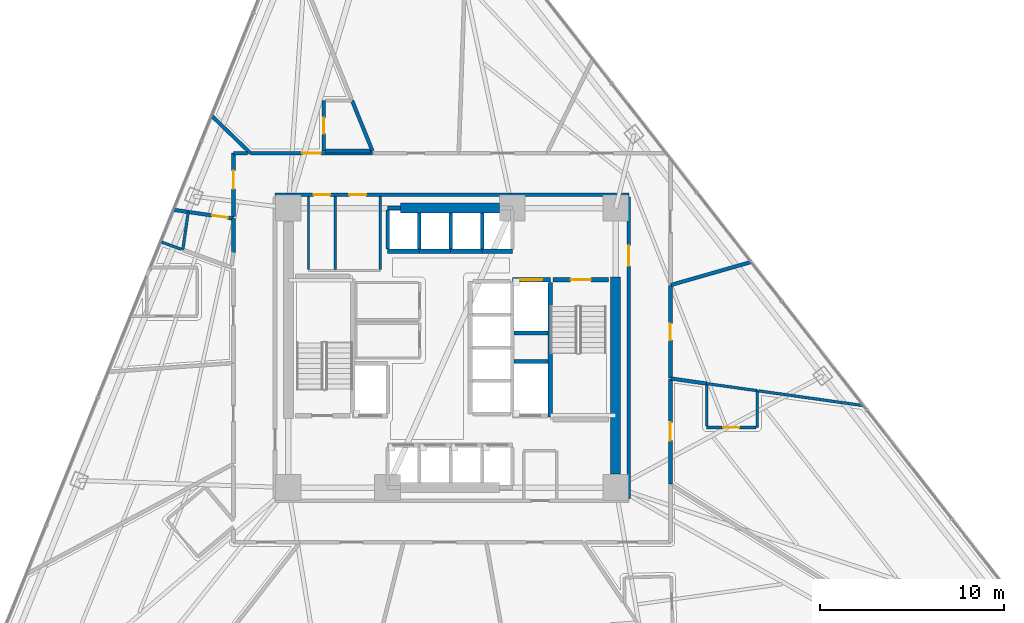
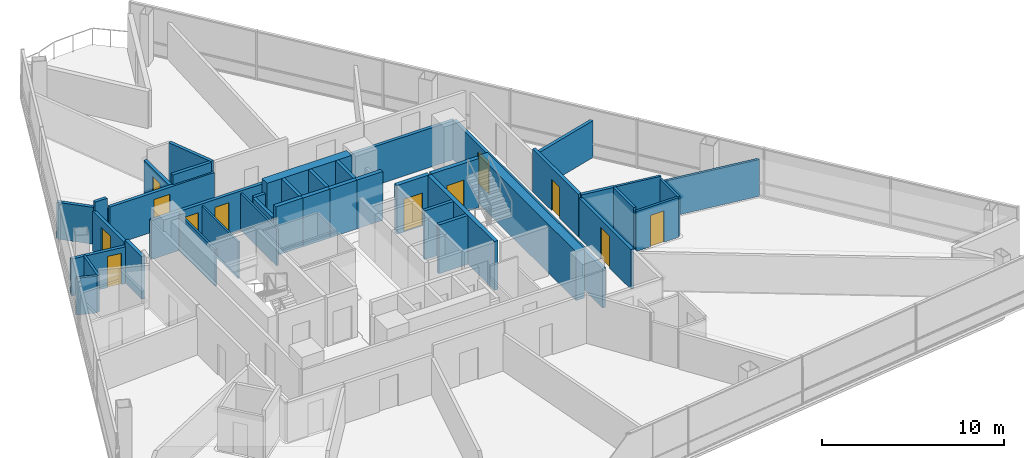
# One storey, part 9 of 15: 41 walls, 12 doors, 12 openings.
"""IFC4 building model written with IfcOpenShell, lengths in metres."""

from ifc_helpers import new_model, si_unit, direction, frame, frame_2d, origin, place, context, subcontext, project, spatial, rectangle, extrude, material, layer, layer_set, type_object, element, fill, save


model = new_model("IFC4")

# Units and contexts
model_context = context("Model", 3, precision=1e-05, world=origin(), true_north=direction((0.0, 1.0)))
body_context = subcontext(model_context, "Body", "Model", "MODEL_VIEW")
ifc_project = project(units=[si_unit("LENGTHUNIT", "METRE"), si_unit("AREAUNIT", "SQUARE_METRE"), si_unit("VOLUMEUNIT", "CUBIC_METRE"), si_unit("PLANEANGLEUNIT", "RADIAN"), si_unit("MASSUNIT", "GRAM", prefix="KILO")], contexts=[model_context])

# Site, building, storey
site_placement = place(None, origin())
site = spatial("IfcSite", under=ifc_project, at=site_placement, CompositionType="ELEMENT")
building_placement = place(site_placement, origin())
building = spatial("IfcBuilding", under=site, at=building_placement, Name="Tharavind Bronze Gate", CompositionType="ELEMENT")
storey_placement = place(building_placement, frame((0.0, 0.0, 67.300048828125)))
storey = spatial("IfcBuildingStorey", under=building, at=storey_placement, Name="L16", CompositionType="ELEMENT", Elevation=67.300048828125)

# Wall, openings, doors
ifc_material_1 = material(Name="Aerated Concrete Block", Category="concrete")
ifc_layer_1 = layer(ifc_material_1, 0.199951171875)
ifc_layer_set_1 = layer_set([ifc_layer_1], Name="Aerated Concrete Block")
wall_type_1 = type_object("IfcWallType", Name="FIRE RATED PARTITION 200", PredefinedType="PARTITIONING", material=ifc_layer_set_1)
wall_1_placement = place(storey_placement, frame((9.6201171875, 8.320068359375, 0.0), z_axis=(0.0, 0.0, 1.0), x_axis=(-1.0, 0.0, 0.0)))
wall_1 = element("IfcWall", 1, at=wall_1_placement, inside=storey, type_object=wall_type_1, Name="L16 north core corridor wall", PredefinedType="PARTITIONING", context=body_context, shape_type="SweptSolid", body=[
    extrude(rectangle(XDim=19.240234375, YDim=0.199951171875, at=frame_2d((9.6201171875, 0.0))), origin(), (0.0, 0.0, 1.0), 2.619873046875),
])
opening_1_placement = place(wall_1_placement, frame((16.2451171875, 0.0, 0.0)))
opening_1 = element("IfcOpeningElement", 2, at=opening_1_placement, cuts=wall_1, Name="Opening ID07", PredefinedType="OPENING", context=body_context, shape_type="SweptSolid", body=[
    extrude(rectangle(XDim=0.89990234375, YDim=2.10009765625, at=frame_2d((0.449951171875, 1.050048828125))), frame((0.0, 0.11009765625, 0.0), z_axis=(0.0, -1.0, 0.0), x_axis=(1.0, 0.0, 0.0)), (0.0, 0.0, 1.0), 0.219951171875),
])
opening_2_placement = place(wall_1_placement, frame((14.294921875, 0.0, 0.0)))
opening_2 = element("IfcOpeningElement", 3, at=opening_2_placement, cuts=wall_1, Name="Opening ID07", PredefinedType="OPENING", context=body_context, shape_type="SweptSolid", body=[
    extrude(rectangle(XDim=0.89990234375, YDim=2.10009765625, at=frame_2d((0.449951171875, 1.050048828125))), frame((0.0, 0.11009765625, 0.0), z_axis=(0.0, -1.0, 0.0), x_axis=(1.0, 0.0, 0.0)), (0.0, 0.0, 1.0), 0.219951171875),
])
ifc_material_2 = material(Name="Galvanised Fire Steel", Category="steel")
door_type_1 = type_object("IfcDoorType", Name="PLANT AND RISER FIRE DOOR 900X2100", OperationType="SINGLE_SWING_LEFT", PredefinedType="DOOR", material=ifc_material_2)
door_1_placement = place(opening_1_placement, frame((0.89990234375, 0.0, 0.0), z_axis=(0.0, 0.0, 1.0), x_axis=(-1.0, 0.0, 0.0)))
door_1 = element("IfcDoor", 4, at=door_1_placement, inside=storey, type_object=door_type_1, Name="L16 Battery Backup Cupboard fire door", OperationType="SINGLE_SWING_LEFT", OverallHeight=2.10009765625, OverallWidth=0.89990234375, PredefinedType="DOOR", context=body_context, shape_type="SweptSolid", body=[
    extrude(rectangle(XDim=0.89990234375, YDim=2.10009765625, at=frame_2d((0.449951171875, 1.050048828125))), frame((0.0, 0.02490234375, 0.0), z_axis=(0.0, -1.0, 0.0), x_axis=(1.0, 0.0, 0.0)), (0.0, 0.0, 1.0), 0.050048828125),
])
fill(opening_1, door_1)
door_2_placement = place(opening_2_placement, frame((0.89990234375, 0.0, 0.0), z_axis=(0.0, 0.0, 1.0), x_axis=(-1.0, 0.0, 0.0)))
door_2 = element("IfcDoor", 5, at=door_2_placement, inside=storey, type_object=door_type_1, Name="L16 Cleaner Store Room fire door", OperationType="SINGLE_SWING_LEFT", OverallHeight=2.10009765625, OverallWidth=0.89990234375, PredefinedType="DOOR", context=body_context, shape_type="SweptSolid", body=[
    extrude(rectangle(XDim=0.89990234375, YDim=2.10009765625, at=frame_2d((0.449951171875, 1.050048828125))), frame((0.0, 0.02490234375, 0.0), z_axis=(0.0, -1.0, 0.0), x_axis=(1.0, 0.0, 0.0)), (0.0, 0.0, 1.0), 0.050048828125),
])
fill(opening_2, door_2)

# Wall, opening, door
wall_2_placement = place(storey_placement, frame((9.6201171875, -8.199951171875, 0.0), z_axis=(0.0, 0.0, 1.0), x_axis=(0.0, 1.0, 0.0)))
wall_2 = element("IfcWall", 6, at=wall_2_placement, inside=storey, type_object=wall_type_1, Name="L16 east core corridor wall", PredefinedType="PARTITIONING", context=body_context, shape_type="SweptSolid", body=[
    extrude(rectangle(XDim=16.39990234375, YDim=0.199951171875, at=frame_2d((8.199951171875, 0.0))), origin(), (0.0, 0.0, 1.0), 2.669921875),
])
opening_3_placement = place(wall_2_placement, frame((12.64990234375, 0.0, 0.0)))
opening_3 = element("IfcOpeningElement", 7, at=opening_3_placement, cuts=wall_2, Name="Opening ID01", PredefinedType="OPENING", context=body_context, shape_type="SweptSolid", body=[
    extrude(rectangle(XDim=1.10009765625, YDim=2.14990234375, at=frame_2d((0.550048828125, 1.074951171875))), frame((0.0, 0.11009765625, 0.0), z_axis=(0.0, -1.0, 0.0), x_axis=(1.0, 0.0, 0.0)), (0.0, 0.0, 1.0), 0.219951171875),
])
ifc_material_3 = material(Name="Fire-Rated Steel", Category="steel")
door_type_2 = type_object("IfcDoorType", Name="STAIR CORE FIRE DOOR 1100X2150", OperationType="SINGLE_SWING_LEFT", PredefinedType="DOOR", material=ifc_material_3)
door_3_placement = place(opening_3_placement, frame((1.10009765625, 0.0, 0.0), z_axis=(0.0, 0.0, 1.0), x_axis=(-1.0, 0.0, 0.0)))
door_3 = element("IfcDoor", 8, at=door_3_placement, inside=storey, type_object=door_type_2, Name="L16 north east stair lobby fire door", OperationType="SINGLE_SWING_LEFT", OverallHeight=2.14990234375, OverallWidth=1.10009765625, PredefinedType="DOOR", context=body_context, shape_type="SweptSolid", body=[
    extrude(rectangle(XDim=1.10009765625, YDim=2.14990234375, at=frame_2d((0.550048828125, 1.074951171875))), frame((0.0, 0.02490234375, 0.0), z_axis=(0.0, -1.0, 0.0), x_axis=(1.0, 0.0, 0.0)), (0.0, 0.0, 1.0), 0.050048828125),
])
fill(opening_3, door_3)

wall_3_placement = place(storey_placement, frame((-6.97314453125, 10.699951171875, 0.0), z_axis=(0.0, 0.0, 1.0), x_axis=(0.0, 1.0, 0.0)))
wall_3 = element("IfcWall", 9, at=wall_3_placement, inside=storey, type_object=wall_type_1, Name="L16 En-Suite Bathroom partition", PredefinedType="PARTITIONING", context=body_context, shape_type="SweptSolid", body=[
    extrude(rectangle(XDim=2.75, YDim=0.199951171875, at=frame_2d((1.375, 0.0))), origin(), (0.0, 0.0, 1.0), 2.619873046875),
])
opening_4_placement = place(wall_3_placement, frame((0.949951171875, 0.0, 0.0)))
opening_4 = element("IfcOpeningElement", 10, at=opening_4_placement, cuts=wall_3, Name="Opening ID06", PredefinedType="OPENING", context=body_context, shape_type="SweptSolid", body=[
    extrude(rectangle(XDim=0.85009765625, YDim=2.10009765625, at=frame_2d((0.425048828125, 1.050048828125))), frame((0.0, 0.11009765625, 0.0), z_axis=(0.0, -1.0, 0.0), x_axis=(1.0, 0.0, 0.0)), (0.0, 0.0, 1.0), 0.219951171875),
])
ifc_material_4 = material(Name="Moisture-Resistant Timber", Category="wood")
door_type_3 = type_object("IfcDoorType", Name="BATHROOM PRIVACY DOOR 850X2100", OperationType="SINGLE_SWING_RIGHT", PredefinedType="DOOR", material=ifc_material_4)
door_4_placement = place(opening_4_placement, origin())
door_4 = element("IfcDoor", 11, at=door_4_placement, inside=storey, type_object=door_type_3, Name="L16 En-Suite Bathroom door", OperationType="SINGLE_SWING_RIGHT", OverallHeight=2.10009765625, OverallWidth=0.85009765625, PredefinedType="DOOR", context=body_context, shape_type="SweptSolid", body=[
    extrude(rectangle(XDim=0.85009765625, YDim=2.10009765625, at=frame_2d((0.425048828125, 1.050048828125))), frame((0.0, 0.02490234375, 0.0), z_axis=(0.0, -1.0, 0.0), x_axis=(1.0, 0.0, 0.0)), (0.0, 0.0, 1.0), 0.050048828125),
])
fill(opening_4, door_4)

# Walls
wall_4_placement = place(storey_placement, frame((-5.43408203125, 13.449951171875, 0.0), z_axis=(0.0, 0.0, 1.0), x_axis=(0.374610031927, -0.927182465311, 0.0)))
element("IfcWall", 12, at=wall_4_placement, inside=storey, type_object=wall_type_1, Name="L16 En-Suite Bathroom partition", PredefinedType="PARTITIONING", context=body_context, shape_type="SweptSolid", body=[
    extrude(rectangle(XDim=2.966064453125, YDim=0.199951171875, at=frame_2d((1.48291015625, 0.0))), origin(), (0.0, 0.0, 1.0), 3.27490234375),
])
wall_5_placement = place(storey_placement, frame((-4.436279296875, 10.699951171875, 0.0), z_axis=(0.0, 0.0, 1.0), x_axis=(-1.0, 0.0, 0.0)))
element("IfcWall", 13, at=wall_5_placement, inside=storey, type_object=wall_type_1, Name="L16 En-Suite Bathroom partition", PredefinedType="PARTITIONING", context=body_context, shape_type="SweptSolid", body=[
    extrude(rectangle(XDim=2.431884765625, YDim=0.199951171875, at=frame_2d((1.2158203125, 0.0))), origin(), (0.0, 0.0, 1.0), 3.27490234375),
])

# Wall, opening, door
wall_6_placement = place(storey_placement, frame((-15.144287109375, 7.502197265625, 0.0), z_axis=(0.0, 0.0, 1.0), x_axis=(0.989616702709, -0.143731630892, 0.0)))
wall_6 = element("IfcWall", 14, at=wall_6_placement, inside=storey, type_object=wall_type_1, Name="L16 En-Suite Bathroom partition", PredefinedType="PARTITIONING", context=body_context, shape_type="SweptSolid", body=[
    extrude(rectangle(XDim=3.298583984375, YDim=0.199951171875, at=frame_2d((1.6494140625, 0.0))), origin(), (0.0, 0.0, 1.0), 2.469970703125),
])
opening_5_placement = place(wall_6_placement, frame((2.1240234375, 0.0, 0.0)))
opening_5 = element("IfcOpeningElement", 15, at=opening_5_placement, cuts=wall_6, Name="Opening ID06", PredefinedType="OPENING", context=body_context, shape_type="SweptSolid", body=[
    extrude(rectangle(XDim=0.85009765625, YDim=2.10009765625, at=frame_2d((0.425048828125, 1.050048828125))), frame((0.0, 0.11009765625, 0.0), z_axis=(0.0, -1.0, 0.0), x_axis=(1.0, 0.0, 0.0)), (0.0, 0.0, 1.0), 0.219951171875),
])
door_5_placement = place(opening_5_placement, origin())
door_5 = element("IfcDoor", 16, at=door_5_placement, inside=storey, type_object=door_type_3, Name="L16 En-Suite Bathroom door", OperationType="SINGLE_SWING_RIGHT", OverallHeight=2.10009765625, OverallWidth=0.85009765625, PredefinedType="DOOR", context=body_context, shape_type="SweptSolid", body=[
    extrude(rectangle(XDim=0.85009765625, YDim=2.10009765625, at=frame_2d((0.425048828125, 1.050048828125))), frame((0.0, 0.02490234375, 0.0), z_axis=(0.0, -1.0, 0.0), x_axis=(1.0, 0.0, 0.0)), (0.0, 0.0, 1.0), 0.050048828125),
])
fill(opening_5, door_5)

# Walls
wall_7_placement = place(storey_placement, frame((-11.8798828125, 7.028076171875, 0.0), z_axis=(0.0, 0.0, 1.0), x_axis=(0.0, -1.0, 0.0)))
element("IfcWall", 17, at=wall_7_placement, inside=storey, type_object=wall_type_1, Name="L16 En-Suite Bathroom partition", PredefinedType="PARTITIONING", context=body_context, shape_type="SweptSolid", body=[
    extrude(rectangle(XDim=1.834228515625, YDim=0.199951171875, at=frame_2d((0.9169921875, 0.0))), origin(), (0.0, 0.0, 1.0), 2.869873046875),
])
wall_8_placement = place(storey_placement, frame((16.271728515625, 4.665771484375, 0.0), z_axis=(0.0, 0.0, 1.0), x_axis=(-0.961271666147, -0.275602583194, 0.0)))
element("IfcWall", 18, at=wall_8_placement, inside=storey, type_object=wall_type_1, Name="L16 Hotel Club Lounge partition", PredefinedType="PARTITIONING", context=body_context, shape_type="SweptSolid", body=[
    extrude(rectangle(XDim=4.535400390625, YDim=0.199951171875, at=frame_2d((2.267578125, 0.0))), origin(), (0.0, 0.0, 1.0), 2.469970703125),
])

# Wall, opening, door
wall_9_placement = place(storey_placement, frame((-4.311767578125, 10.580078125, 0.0), z_axis=(0.0, 0.0, 1.0), x_axis=(-1.0, 0.0, 0.0)))
wall_9 = element("IfcWall", 19, at=wall_9_placement, inside=storey, type_object=wall_type_1, Name="L16 Hotel Guest Room partition", PredefinedType="PARTITIONING", context=body_context, shape_type="SweptSolid", body=[
    extrude(rectangle(XDim=6.634033203125, YDim=0.199951171875, at=frame_2d((3.31689453125, 0.0))), origin(), (0.0, 0.0, 1.0), 2.619873046875),
])
opening_6_placement = place(wall_9_placement, frame((2.81689453125, 0.0, 0.0)))
opening_6 = element("IfcOpeningElement", 20, at=opening_6_placement, cuts=wall_9, Name="Opening ID03", PredefinedType="OPENING", context=body_context, shape_type="SweptSolid", body=[
    extrude(rectangle(XDim=1.0, YDim=2.14990234375, at=frame_2d((0.5, 1.074951171875))), frame((0.0, 0.11009765625, 0.0), z_axis=(0.0, -1.0, 0.0), x_axis=(1.0, 0.0, 0.0)), (0.0, 0.0, 1.0), 0.219951171875),
])
ifc_material_5 = material(Name="Solid Timber Veneer", Category="wood")
door_type_4 = type_object("IfcDoorType", Name="HOTEL SUITE ENTRANCE DOOR 1000X2150", OperationType="SINGLE_SWING_LEFT", PredefinedType="DOOR", material=ifc_material_5)
door_6_placement = place(opening_6_placement, origin())
door_6 = element("IfcDoor", 21, at=door_6_placement, inside=storey, type_object=door_type_4, Name="L16 Hotel Guest Room door", OperationType="SINGLE_SWING_LEFT", OverallHeight=2.14990234375, OverallWidth=1.0, PredefinedType="DOOR", context=body_context, shape_type="SweptSolid", body=[
    extrude(rectangle(XDim=1.0, YDim=2.14990234375, at=frame_2d((0.5, 1.074951171875))), frame((0.0, 0.02490234375, 0.0), z_axis=(0.0, -1.0, 0.0), x_axis=(1.0, 0.0, 0.0)), (0.0, 0.0, 1.0), 0.050048828125),
])
fill(opening_6, door_6)

# Walls
wall_10_placement = place(storey_placement, frame((-10.963134765625, 10.5869140625, 0.0), z_axis=(0.0, 0.0, 1.0), x_axis=(-0.719299093908, 0.69470052073, 0.0)))
element("IfcWall", 22, at=wall_10_placement, inside=storey, type_object=wall_type_1, Name="L16 Hotel Guest Room partition", PredefinedType="PARTITIONING", context=body_context, shape_type="SweptSolid", body=[
    extrude(rectangle(XDim=2.91796875, YDim=0.199951171875, at=frame_2d((1.458984375, 0.0))), origin(), (0.0, 0.0, 1.0), 2.469970703125),
])
wall_11_placement = place(storey_placement, frame((-11.107177734375, 10.580078125, 0.0), z_axis=(0.0, 0.0, 1.0), x_axis=(-1.0, 0.0, 0.0)))
element("IfcWall", 23, at=wall_11_placement, inside=storey, type_object=wall_type_1, Name="L16 Hotel Deluxe Room partition", PredefinedType="PARTITIONING", context=body_context, shape_type="SweptSolid", body=[
    extrude(rectangle(XDim=0.772216796875, YDim=0.199951171875, at=frame_2d((0.38623046875, 0.0))), origin(), (0.0, 0.0, 1.0), 3.27490234375),
])

# Wall, opening, door
wall_12_placement = place(storey_placement, frame((-11.8798828125, 10.579345703125, 0.0), z_axis=(0.0, 0.0, 1.0), x_axis=(0.0, -1.0, 0.0)))
wall_12 = element("IfcWall", 24, at=wall_12_placement, inside=storey, type_object=wall_type_1, Name="L16 Hotel Deluxe Room partition", PredefinedType="PARTITIONING", context=body_context, shape_type="SweptSolid", body=[
    extrude(rectangle(XDim=3.4453125, YDim=0.199951171875, at=frame_2d((1.72265625, 0.0))), origin(), (0.0, 0.0, 1.0), 2.669921875),
])
opening_7_placement = place(wall_12_placement, frame((0.943115234375, 0.0, 0.0)))
opening_7 = element("IfcOpeningElement", 25, at=opening_7_placement, cuts=wall_12, Name="Opening ID03", PredefinedType="OPENING", context=body_context, shape_type="SweptSolid", body=[
    extrude(rectangle(XDim=1.0, YDim=2.14990234375, at=frame_2d((0.5, 1.074951171875))), frame((0.0, 0.11009765625, 0.0), z_axis=(0.0, -1.0, 0.0), x_axis=(1.0, 0.0, 0.0)), (0.0, 0.0, 1.0), 0.219951171875),
])
door_7_placement = place(opening_7_placement, origin())
door_7 = element("IfcDoor", 26, at=door_7_placement, inside=storey, type_object=door_type_4, Name="L16 Hotel Deluxe Room door", OperationType="SINGLE_SWING_LEFT", OverallHeight=2.14990234375, OverallWidth=1.0, PredefinedType="DOOR", context=body_context, shape_type="SweptSolid", body=[
    extrude(rectangle(XDim=1.0, YDim=2.14990234375, at=frame_2d((0.5, 1.074951171875))), frame((0.0, 0.02490234375, 0.0), z_axis=(0.0, -1.0, 0.0), x_axis=(1.0, 0.0, 0.0)), (0.0, 0.0, 1.0), 0.050048828125),
])
fill(opening_7, door_7)

wall_13_placement = place(storey_placement, frame((11.8798828125, -7.40966796875, 0.0), z_axis=(0.0, 0.0, 1.0), x_axis=(0.0, 1.0, 0.0)))
wall_13 = element("IfcWall", 27, at=wall_13_placement, inside=storey, type_object=wall_type_1, Name="L16 Deluxe Hotel Suite partition", PredefinedType="PARTITIONING", context=body_context, shape_type="SweptSolid", body=[
    extrude(rectangle(XDim=5.711181640625, YDim=0.199951171875, at=frame_2d((2.85546875, 0.0))), origin(), (0.0, 0.0, 1.0), 2.669921875),
])
opening_8_placement = place(wall_13_placement, frame((2.35595703125, 0.0, 0.0)))
opening_8 = element("IfcOpeningElement", 28, at=opening_8_placement, cuts=wall_13, Name="Opening ID03", PredefinedType="OPENING", context=body_context, shape_type="SweptSolid", body=[
    extrude(rectangle(XDim=1.0, YDim=2.14990234375, at=frame_2d((0.5, 1.074951171875))), frame((0.0, 0.11009765625, 0.0), z_axis=(0.0, -1.0, 0.0), x_axis=(1.0, 0.0, 0.0)), (0.0, 0.0, 1.0), 0.219951171875),
])
door_8_placement = place(opening_8_placement, origin())
door_8 = element("IfcDoor", 29, at=door_8_placement, inside=storey, type_object=door_type_4, Name="L16 Deluxe Hotel Suite door", OperationType="SINGLE_SWING_LEFT", OverallHeight=2.14990234375, OverallWidth=1.0, PredefinedType="DOOR", context=body_context, shape_type="SweptSolid", body=[
    extrude(rectangle(XDim=1.0, YDim=2.14990234375, at=frame_2d((0.5, 1.074951171875))), frame((0.0, 0.02490234375, 0.0), z_axis=(0.0, -1.0, 0.0), x_axis=(1.0, 0.0, 0.0)), (0.0, 0.0, 1.0), 0.050048828125),
])
fill(opening_8, door_8)

# Wall
wall_14_placement = place(storey_placement, frame((11.908447265625, -1.673583984375, 0.0), z_axis=(0.0, 0.0, 1.0), x_axis=(0.990263284835, -0.13920713598, 0.0)))
element("IfcWall", 30, at=wall_14_placement, inside=storey, type_object=wall_type_1, Name="L16 Deluxe Hotel Suite partition", PredefinedType="PARTITIONING", context=body_context, shape_type="SweptSolid", body=[
    extrude(rectangle(XDim=1.960693359375, YDim=0.199951171875, at=frame_2d((0.98046875, 0.0))), origin(), (0.0, 0.0, 1.0), 2.869873046875),
])

# Wall, opening, door
wall_15_placement = place(storey_placement, frame((11.8798828125, -1.64794921875, 0.0), z_axis=(0.0, 0.0, 1.0), x_axis=(0.0, 1.0, 0.0)))
wall_15 = element("IfcWall", 31, at=wall_15_placement, inside=storey, type_object=wall_type_1, Name="L16 Tea Pantry partition", PredefinedType="PARTITIONING", context=body_context, shape_type="SweptSolid", body=[
    extrude(rectangle(XDim=5.03564453125, YDim=0.199951171875, at=frame_2d((2.517822265625, 0.0))), origin(), (0.0, 0.0, 1.0), 2.869873046875),
])
opening_9_placement = place(wall_15_placement, frame((2.068115234375, 0.0, 0.0)))
opening_9 = element("IfcOpeningElement", 32, at=opening_9_placement, cuts=wall_15, Name="Opening ID07", PredefinedType="OPENING", context=body_context, shape_type="SweptSolid", body=[
    extrude(rectangle(XDim=0.89990234375, YDim=2.10009765625, at=frame_2d((0.449951171875, 1.050048828125))), frame((0.0, 0.11009765625, 0.0), z_axis=(0.0, -1.0, 0.0), x_axis=(1.0, 0.0, 0.0)), (0.0, 0.0, 1.0), 0.219951171875),
])
door_9_placement = place(opening_9_placement, origin())
door_9 = element("IfcDoor", 33, at=door_9_placement, inside=storey, type_object=door_type_1, Name="L16 Tea Pantry door", OperationType="SINGLE_SWING_LEFT", OverallHeight=2.10009765625, OverallWidth=0.89990234375, PredefinedType="DOOR", context=body_context, shape_type="SweptSolid", body=[
    extrude(rectangle(XDim=0.89990234375, YDim=2.10009765625, at=frame_2d((0.449951171875, 1.050048828125))), frame((0.0, 0.02490234375, 0.0), z_axis=(0.0, -1.0, 0.0), x_axis=(1.0, 0.0, 0.0)), (0.0, 0.0, 1.0), 0.050048828125),
])
fill(opening_9, door_9)

# Walls
ifc_material_6 = material(Name="Metal Stud Gypsum Partition", Category="gypsum")
ifc_layer_2 = layer(ifc_material_6, 0.1201171875)
ifc_layer_set_2 = layer_set([ifc_layer_2], Name="Metal Stud Gypsum Partition")
wall_type_2 = type_object("IfcWallType", Name="INTERIOR PARTITION WALL 120", PredefinedType="PARTITIONING", material=ifc_layer_set_2)
for number, where, z_axis, x_axis, name in (
    (34, (-6.35009765625, 4.264892578125, 0.0), (0.0, 0.0, 1.0), (0.0, 1.0, 0.0), "L16 Battery Backup Cupboard partition 2"),
    (35, (-7.800048828125, 8.215087890625, 0.0), (0.0, 0.0, 1.0), (0.0, -1.0, 0.0), "L16 Battery Backup Cupboard partition 4"),
    (36, (-3.89990234375, 4.264892578125, 0.0), (0.0, 0.0, 1.0), (0.0, 1.0, 0.0), "L16 Cleaner Store Room partition 2"),
):
    element("IfcWall", number, at=place(storey_placement, frame(where, z_axis=z_axis, x_axis=x_axis)), inside=storey, type_object=wall_type_2, Name=name, PredefinedType="PARTITIONING", context=body_context, shape_type="SweptSolid", body=[
        extrude(rectangle(XDim=3.9501953125, YDim=0.1201171875, at=frame_2d((1.97509765625, 0.0))), origin(), (0.0, 0.0, 1.0), 2.469970703125),
    ])
ifc_material_7 = material(Name="Twin Stud Acoustic Gypsum", Category="gypsum")
ifc_layer_3 = layer(ifc_material_7, 0.14990234375)
ifc_layer_set_3 = layer_set([ifc_layer_3], Name="Twin Stud Acoustic Gypsum")
wall_type_3 = type_object("IfcWallType", Name="INTERIOR PARTITION WALL 150", PredefinedType="PARTITIONING", material=ifc_layer_set_3)
wall_16_placement = place(storey_placement, frame((-14.639404296875, 5.328369140625, 0.0), z_axis=(0.0, 0.0, 1.0), x_axis=(0.143755820494, 0.989613189117, 0.0)))
element("IfcWall", 37, at=wall_16_placement, inside=storey, type_object=wall_type_3, Name="L16 En-Suite Bathroom partition", PredefinedType="PARTITIONING", context=body_context, shape_type="SweptSolid", body=[
    extrude(rectangle(XDim=2.07861328125, YDim=0.14990234375, at=frame_2d((1.039306640625, 0.0))), origin(), (0.0, 0.0, 1.0), 2.469970703125),
])
wall_17_placement = place(storey_placement, frame((13.85009765625, -1.946533203125, 0.0), z_axis=(0.0, 0.0, 1.0), x_axis=(0.990268698317, -0.139168621221, 0.0)))
element("IfcWall", 38, at=wall_17_placement, inside=storey, type_object=wall_type_3, Name="L16 En-Suite Bathroom partition", PredefinedType="PARTITIONING", context=body_context, shape_type="SweptSolid", body=[
    extrude(rectangle(XDim=2.777099609375, YDim=0.14990234375, at=frame_2d((1.388671875, 0.0))), origin(), (0.0, 0.0, 1.0), 2.869873046875),
])
wall_18_placement = place(storey_placement, frame((16.60009765625, -2.3330078125, 0.0), z_axis=(0.0, 0.0, 1.0), x_axis=(0.0, -1.0, 0.0)))
element("IfcWall", 39, at=wall_18_placement, inside=storey, type_object=wall_type_3, Name="L16 En-Suite Bathroom partition", PredefinedType="PARTITIONING", context=body_context, shape_type="SweptSolid", body=[
    extrude(rectangle(XDim=2.00341796875, YDim=0.14990234375, at=frame_2d((1.001708984375, 0.0))), origin(), (0.0, 0.0, 1.0), 2.669921875),
])

# Wall, opening, door
wall_19_placement = place(storey_placement, frame((16.52001953125, -4.33642578125, 0.0), z_axis=(0.0, 0.0, 1.0), x_axis=(-1.0, 0.0, 0.0)))
wall_19 = element("IfcWall", 40, at=wall_19_placement, inside=storey, type_object=wall_type_3, Name="L16 En-Suite Bathroom partition", PredefinedType="PARTITIONING", context=body_context, shape_type="SweptSolid", body=[
    extrude(rectangle(XDim=2.669921875, YDim=0.14990234375, at=frame_2d((1.3349609375, 0.0))), origin(), (0.0, 0.0, 1.0), 2.669921875),
])
opening_10_placement = place(wall_19_placement, frame((0.909912109375, 0.0, 0.0)))
opening_10 = element("IfcOpeningElement", 41, at=opening_10_placement, cuts=wall_19, Name="Opening ID06", PredefinedType="OPENING", context=body_context, shape_type="SweptSolid", body=[
    extrude(rectangle(XDim=0.85009765625, YDim=2.10009765625, at=frame_2d((0.425048828125, 1.050048828125))), frame((0.0, 0.084951171875, 0.0), z_axis=(0.0, -1.0, 0.0), x_axis=(1.0, 0.0, 0.0)), (0.0, 0.0, 1.0), 0.16990234375),
])
door_10_placement = place(opening_10_placement, origin())
door_10 = element("IfcDoor", 42, at=door_10_placement, inside=storey, type_object=door_type_3, Name="L16 En-Suite Bathroom door", OperationType="SINGLE_SWING_RIGHT", OverallHeight=2.10009765625, OverallWidth=0.85009765625, PredefinedType="DOOR", context=body_context, shape_type="SweptSolid", body=[
    extrude(rectangle(XDim=0.85009765625, YDim=2.10009765625, at=frame_2d((0.425048828125, 1.050048828125))), frame((0.0, 0.02490234375, 0.0), z_axis=(0.0, -1.0, 0.0), x_axis=(1.0, 0.0, 0.0)), (0.0, 0.0, 1.0), 0.050048828125),
])
fill(opening_10, door_10)

# Walls
wall_20_placement = place(storey_placement, frame((13.85009765625, -4.256591796875, 0.0), z_axis=(0.0, 0.0, 1.0), x_axis=(0.0, 1.0, 0.0)))
element("IfcWall", 43, at=wall_20_placement, inside=storey, type_object=wall_type_3, Name="L16 En-Suite Bathroom partition", PredefinedType="PARTITIONING", context=body_context, shape_type="SweptSolid", body=[
    extrude(rectangle(XDim=2.229248046875, YDim=0.14990234375, at=frame_2d((1.11474609375, 0.0))), origin(), (0.0, 0.0, 1.0), 2.869873046875),
])
wall_21_placement = place(storey_placement, frame((-14.716064453125, 5.356201171875, 0.0), z_axis=(0.0, 0.0, 1.0), x_axis=(-0.939690305464, 0.342026504552, 0.0)))
element("IfcWall", 44, at=wall_21_placement, inside=storey, type_object=wall_type_3, Name="L16 Hotel Deluxe Room partition", PredefinedType="PARTITIONING", context=body_context, shape_type="SweptSolid", body=[
    extrude(rectangle(XDim=1.175537109375, YDim=0.14990234375, at=frame_2d((0.587890625, 0.0))), origin(), (0.0, 0.0, 1.0), 2.469970703125),
])
wall_22_placement = place(storey_placement, frame((16.679931640625, -2.34423828125, 0.0), z_axis=(0.0, 0.0, 1.0), x_axis=(0.99026766526, -0.139175971854, 0.0)))
element("IfcWall", 45, at=wall_22_placement, inside=storey, type_object=wall_type_3, Name="L16 Deluxe Hotel Suite partition", PredefinedType="PARTITIONING", context=body_context, shape_type="SweptSolid", body=[
    extrude(rectangle(XDim=5.73974609375, YDim=0.14990234375, at=frame_2d((2.869873046875, 0.0))), origin(), (0.0, 0.0, 1.0), 2.469970703125),
])
ifc_material_8 = material(Name="Concrete C50/60", Category="concrete")
ifc_layer_4 = layer(ifc_material_8, 0.25)
ifc_layer_set_4 = layer_set([ifc_layer_4], Name="Concrete C50/60")
wall_type_4 = type_object("IfcWallType", Name="RC CORE SHEAR WALL 250", PredefinedType="SHEAR", material=ifc_layer_set_4)
wall_23_placement = place(storey_placement, frame((5.35009765625, -3.75, 0.0), z_axis=(0.0, 0.0, 1.0), x_axis=(0.0, 1.0, 0.0)))
element("IfcWall", 46, at=wall_23_placement, inside=storey, type_object=wall_type_4, Name="L16 ST2 shaft west wall", PredefinedType="SHEAR", context=body_context, shape_type="SweptSolid", body=[
    extrude(rectangle(XDim=7.300048828125, YDim=0.25, at=frame_2d((3.64990234375, 0.0))), origin(), (0.0, 0.0, 1.0), 3.27490234375),
])

# Wall, opening, door
wall_24_placement = place(storey_placement, frame((5.5, 3.699951171875, 0.0), z_axis=(0.0, 0.0, 1.0), x_axis=(1.0, 0.0, 0.0)))
wall_24 = element("IfcWall", 47, at=wall_24_placement, inside=storey, type_object=wall_type_4, Name="L16 ST2 shaft north wall", PredefinedType="SHEAR", context=body_context, shape_type="SweptSolid", body=[
    extrude(rectangle(XDim=3.0, YDim=0.25, at=frame_2d((1.5, 0.0))), origin(), (0.0, 0.0, 1.0), 3.27490234375),
])
opening_11_placement = place(wall_24_placement, frame((0.949951171875, 0.0, 0.0)))
opening_11 = element("IfcOpeningElement", 48, at=opening_11_placement, cuts=wall_24, Name="Opening ID01", PredefinedType="OPENING", context=body_context, shape_type="SweptSolid", body=[
    extrude(rectangle(XDim=1.10009765625, YDim=2.14990234375, at=frame_2d((0.550048828125, 1.074951171875))), frame((0.0, 0.135, 0.0), z_axis=(0.0, -1.0, 0.0), x_axis=(1.0, 0.0, 0.0)), (0.0, 0.0, 1.0), 0.27),
])
door_11_placement = place(opening_11_placement, frame((1.10009765625, 0.0, 0.0), z_axis=(0.0, 0.0, 1.0), x_axis=(-1.0, 0.0, 0.0)))
door_11 = element("IfcDoor", 49, at=door_11_placement, inside=storey, type_object=door_type_2, Name="L16 exit stair ST2 fire door", OperationType="SINGLE_SWING_LEFT", OverallHeight=2.14990234375, OverallWidth=1.10009765625, PredefinedType="DOOR", context=body_context, shape_type="SweptSolid", body=[
    extrude(rectangle(XDim=1.10009765625, YDim=2.14990234375, at=frame_2d((0.550048828125, 1.074951171875))), frame((0.0, 0.02490234375, 0.0), z_axis=(0.0, -1.0, 0.0), x_axis=(1.0, 0.0, 0.0)), (0.0, 0.0, 1.0), 0.050048828125),
])
fill(opening_11, door_11)

# Walls
wall_25_placement = place(storey_placement, frame((-3.5, 5.25, 0.0), z_axis=(0.0, 0.0, 1.0), x_axis=(1.0, 0.0, 0.0)))
element("IfcWall", 50, at=wall_25_placement, inside=storey, type_object=wall_type_4, Name="L16 lift PL5 shaft front wall", PredefinedType="SHEAR", context=body_context, shape_type="SweptSolid", body=[
    extrude(rectangle(XDim=1.71240234375, YDim=0.25, at=frame_2d((0.856201171875, 0.0))), origin(), (0.0, 0.0, 1.0), 3.27490234375),
])
wall_26_placement = place(storey_placement, frame((-1.78759765625, 5.25, 0.0), z_axis=(0.0, 0.0, 1.0), x_axis=(1.0, 0.0, 0.0)))
element("IfcWall", 51, at=wall_26_placement, inside=storey, type_object=wall_type_4, Name="L16 lift PL6 shaft front wall", PredefinedType="SHEAR", context=body_context, shape_type="SweptSolid", body=[
    extrude(rectangle(XDim=1.712646484375, YDim=0.25, at=frame_2d((0.8564453125, 0.0))), origin(), (0.0, 0.0, 1.0), 3.27490234375),
])
wall_27_placement = place(storey_placement, frame((-0.074951171875, 5.25, 0.0), z_axis=(0.0, 0.0, 1.0), x_axis=(1.0, 0.0, 0.0)))
element("IfcWall", 52, at=wall_27_placement, inside=storey, type_object=wall_type_4, Name="L16 lift PL7 shaft front wall", PredefinedType="SHEAR", context=body_context, shape_type="SweptSolid", body=[
    extrude(rectangle(XDim=1.71240234375, YDim=0.25, at=frame_2d((0.856201171875, 0.0))), origin(), (0.0, 0.0, 1.0), 3.27490234375),
])
wall_28_placement = place(storey_placement, frame((1.637451171875, 5.25, 0.0), z_axis=(0.0, 0.0, 1.0), x_axis=(1.0, 0.0, 0.0)))
element("IfcWall", 53, at=wall_28_placement, inside=storey, type_object=wall_type_4, Name="L16 lift PL8 shaft front wall", PredefinedType="SHEAR", context=body_context, shape_type="SweptSolid", body=[
    extrude(rectangle(XDim=1.642578125, YDim=0.25, at=frame_2d((0.8212890625, 0.0))), origin(), (0.0, 0.0, 1.0), 3.27490234375),
])

# Wall, opening, door
wall_29_placement = place(storey_placement, frame((3.280029296875, 3.699951171875, 0.0), z_axis=(0.0, 0.0, 1.0), x_axis=(1.0, 0.0, 0.0)))
wall_29 = element("IfcWall", 54, at=wall_29_placement, inside=storey, type_object=wall_type_4, Name="L16 lift FFL2 shaft front wall", PredefinedType="SHEAR", context=body_context, shape_type="SweptSolid", body=[
    extrude(rectangle(XDim=2.070068359375, YDim=0.25, at=frame_2d((1.03515625, 0.0))), origin(), (0.0, 0.0, 1.0), 3.27490234375),
])
opening_12_placement = place(wall_29_placement, frame((0.43505859375, 0.0, 0.0)))
opening_12 = element("IfcOpeningElement", 55, at=opening_12_placement, cuts=wall_29, Name="Opening LD02", PredefinedType="OPENING", context=body_context, shape_type="SweptSolid", body=[
    extrude(rectangle(XDim=1.199951171875, YDim=2.199951171875, at=frame_2d((0.60009765625, 1.10009765625))), frame((0.0, 0.135, 0.0), z_axis=(0.0, -1.0, 0.0), x_axis=(1.0, 0.0, 0.0)), (0.0, 0.0, 1.0), 0.27),
])
ifc_material_9 = material(Name="Brushed Stainless Steel", Category="steel")
door_type_5 = type_object("IfcDoorType", Name="FIREFIGHTING LIFT LANDING DOOR 1200X2200", OperationType="SLIDING_TO_RIGHT", PredefinedType="DOOR", material=ifc_material_9)
door_12_placement = place(opening_12_placement, origin())
door_12 = element("IfcDoor", 56, at=door_12_placement, inside=storey, type_object=door_type_5, Name="L16 lift FFL2 sliding landing door", OperationType="SLIDING_TO_RIGHT", OverallHeight=2.199951171875, OverallWidth=1.199951171875, PredefinedType="DOOR", context=body_context, shape_type="SweptSolid", body=[
    extrude(rectangle(XDim=1.199951171875, YDim=2.199951171875, at=frame_2d((0.60009765625, 1.10009765625))), frame((0.0, 0.02490234375, 0.0), z_axis=(0.0, -1.0, 0.0), x_axis=(1.0, 0.0, 0.0)), (0.0, 0.0, 1.0), 0.050048828125),
])
fill(opening_12, door_12)

# Walls
ifc_material_10 = material(Name="Concrete C60/75", Category="concrete")
ifc_layer_5 = layer(ifc_material_10, 0.550048828125)
ifc_layer_set_5 = layer_set([ifc_layer_5], Name="Concrete C60/75")
wall_type_5 = type_object("IfcWallType", Name="RC CORE SHEAR WALL 550", PredefinedType="SHEAR", material=ifc_layer_set_5)
wall_30_placement = place(storey_placement, frame((-2.800048828125, 7.60009765625, 0.0), z_axis=(0.0, 0.0, 1.0), x_axis=(1.0, 0.0, 0.0)))
element("IfcWall", 57, at=wall_30_placement, inside=storey, type_object=wall_type_5, Name="L16 north core shear wall", PredefinedType="SHEAR", context=body_context, shape_type="SweptSolid", body=[
    extrude(rectangle(XDim=5.380126953125, YDim=0.550048828125, at=frame_2d((2.68994140625, 0.0))), origin(), (0.0, 0.0, 1.0), 3.27490234375),
])
wall_31_placement = place(storey_placement, frame((8.89990234375, -6.85009765625, 0.0), z_axis=(0.0, 0.0, 1.0), x_axis=(0.0, 1.0, 0.0)))
element("IfcWall", 58, at=wall_31_placement, inside=storey, type_object=wall_type_5, Name="L16 east core shear wall", PredefinedType="SHEAR", context=body_context, shape_type="SweptSolid", body=[
    extrude(rectangle(XDim=10.7001953125, YDim=0.550048828125, at=frame_2d((5.35009765625, 0.0))), origin(), (0.0, 0.0, 1.0), 3.27490234375),
])
ifc_material_11 = material(Name="Concrete C40/50", Category="concrete")
ifc_layer_6 = layer(ifc_material_11, 0.199951171875)
ifc_layer_set_6 = layer_set([ifc_layer_6], Name="Concrete C40/50")
wall_type_6 = type_object("IfcWallType", Name="SHAFT ENCLOSURE WALL 200", PredefinedType="PARTITIONING", material=ifc_layer_set_6)
wall_32_placement = place(storey_placement, frame((-3.5, 7.60009765625, 0.0), z_axis=(0.0, 0.0, 1.0), x_axis=(1.0, 0.0, 0.0)))
element("IfcWall", 59, at=wall_32_placement, inside=storey, type_object=wall_type_6, Name="L16 lift PL5 shaft N enclosure wall", PredefinedType="PARTITIONING", context=body_context, shape_type="SweptSolid", body=[
    extrude(rectangle(XDim=0.699951171875, YDim=0.199951171875, at=frame_2d((0.35009765625, 0.0))), origin(), (0.0, 0.0, 1.0), 2.469970703125),
])
wall_33_placement = place(storey_placement, frame((-3.5, 5.3798828125, 0.0), z_axis=(0.0, 0.0, 1.0), x_axis=(0.0, 1.0, 0.0)))
element("IfcWall", 60, at=wall_33_placement, inside=storey, type_object=wall_type_6, Name="L16 lift PL5 shaft W enclosure wall", PredefinedType="PARTITIONING", context=body_context, shape_type="SweptSolid", body=[
    extrude(rectangle(XDim=2.115234375, YDim=0.199951171875, at=frame_2d((1.0576171875, 0.0))), origin(), (0.0, 0.0, 1.0), 2.469970703125),
])
for number, where, z_axis, x_axis, name in (
    (61, (-1.78759765625, 5.3798828125, 0.0), (0.0, 0.0, 1.0), (0.0, 1.0, 0.0), "L16 lift PL5 shaft E enclosure wall"),
    (62, (-0.074951171875, 5.3798828125, 0.0), (0.0, 0.0, 1.0), (0.0, 1.0, 0.0), "L16 lift PL6 shaft E enclosure wall"),
    (63, (1.637451171875, 5.3798828125, 0.0), (0.0, 0.0, 1.0), (0.0, 1.0, 0.0), "L16 lift PL7 shaft E enclosure wall"),
):
    element("IfcWall", number, at=place(storey_placement, frame(where, z_axis=z_axis, x_axis=x_axis)), inside=storey, type_object=wall_type_6, Name=name, PredefinedType="PARTITIONING", context=body_context, shape_type="SweptSolid", body=[
        extrude(rectangle(XDim=1.940185546875, YDim=0.199951171875, at=frame_2d((0.97021484375, 0.0))), origin(), (0.0, 0.0, 1.0), 3.27490234375),
    ])
for number, where, z_axis, x_axis, name in (
    (64, (3.385009765625, 0.800048828125, 0.0), (0.0, 0.0, 1.0), (1.0, 0.0, 0.0), "L16 lift FFL2 shaft S enclosure wall"),
    (65, (3.385009765625, -0.75, 0.0), (0.0, 0.0, 1.0), (1.0, 0.0, 0.0), "L16 lift SVL1 shaft N enclosure wall"),
):
    element("IfcWall", number, at=place(storey_placement, frame(where, z_axis=z_axis, x_axis=x_axis)), inside=storey, type_object=wall_type_6, Name=name, PredefinedType="PARTITIONING", context=body_context, shape_type="SweptSolid", body=[
        extrude(rectangle(XDim=1.8349609375, YDim=0.199951171875, at=frame_2d((0.91748046875, 0.0))), origin(), (0.0, 0.0, 1.0), 3.27490234375),
    ])

save(model, "model.ifc")
